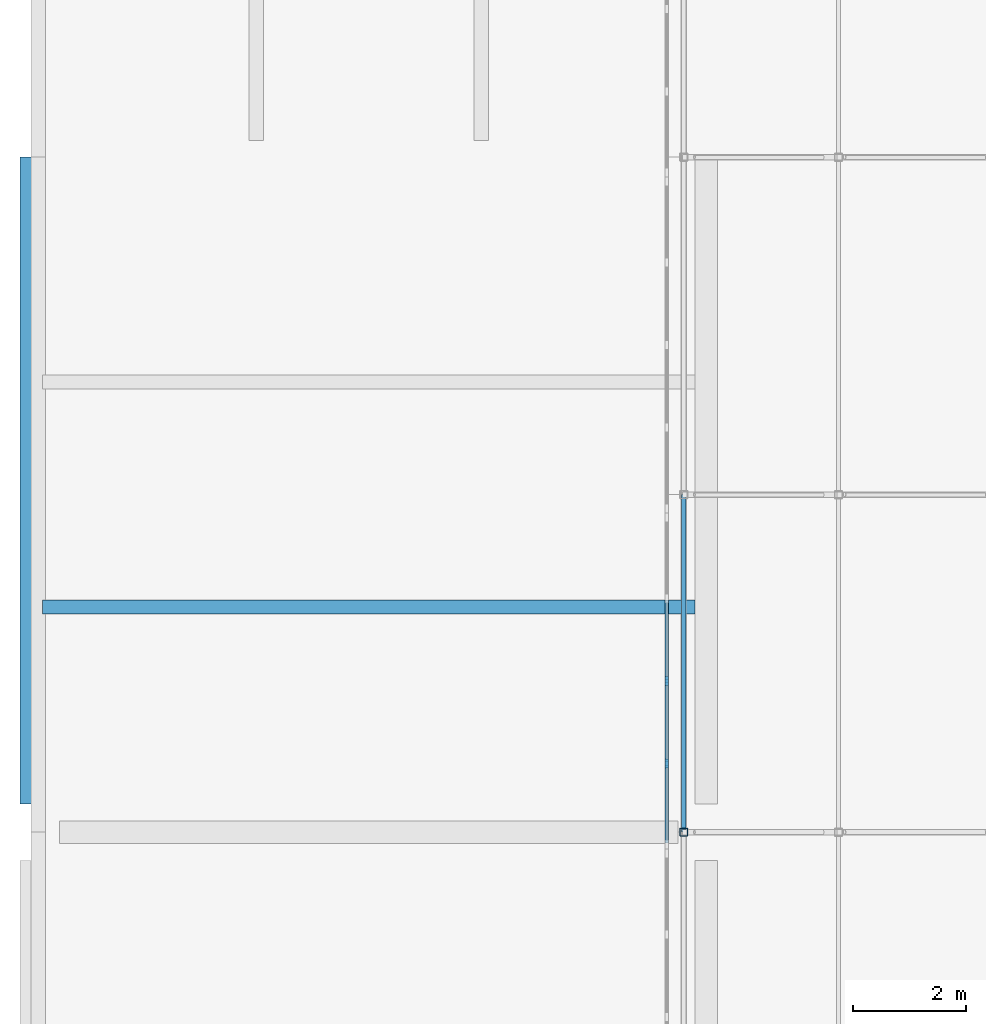
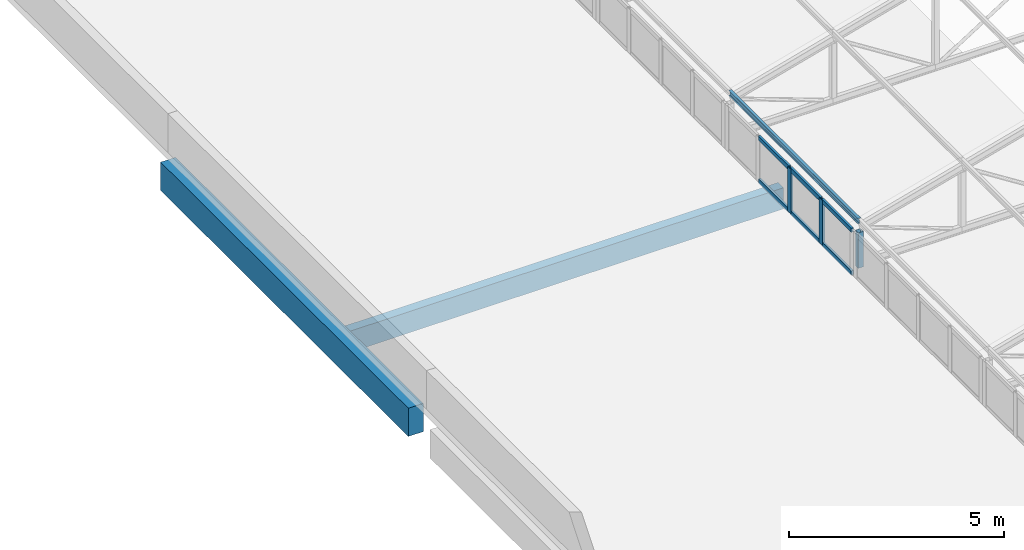
# One storey, part 53 of 94: 10 members, 2 beams, 1 element without a shape of its own.
"""IFC4 building model written with IfcOpenShell, lengths in metres."""

from ifc_helpers import new_model, si_unit, direction, frame, origin, origin_2d, place, context, subcontext, project, spatial, rectangle, hollow_rectangle, i_section, extrude, material, layer, layer_set, material_profile, profile_set, type_object, element, aggregate, save


model = new_model("IFC4")

# Units and contexts
model_context = context("Model", 3, precision=1e-05, world=origin(), true_north=direction((0.0, 1.0)))
body_context = subcontext(model_context, "Body", "Model", "MODEL_VIEW")
ifc_project = project(units=[si_unit("LENGTHUNIT", "METRE"), si_unit("AREAUNIT", "SQUARE_METRE"), si_unit("VOLUMEUNIT", "CUBIC_METRE"), si_unit("PLANEANGLEUNIT", "RADIAN"), si_unit("MASSUNIT", "GRAM", prefix="KILO")], contexts=[model_context])

# Site, building, storey
site_placement = place(None, origin())
site = spatial("IfcSite", under=ifc_project, at=site_placement, CompositionType="ELEMENT")
building_placement = place(site_placement, origin())
building = spatial("IfcBuilding", under=site, at=building_placement, Name="Lilac Gate Convention Centre", CompositionType="ELEMENT")
storey_placement = place(building_placement, frame((0.0, 0.0, 21.0)))
storey = spatial("IfcBuildingStorey", under=building, at=storey_placement, Name="L04", CompositionType="ELEMENT", Elevation=21.0)

# Curtain wall, members
ifc_material_1 = material(Name="Aluminium framed double glazing", Category="aluminium")
ifc_layer = layer(ifc_material_1, 0.199951171875)
ifc_layer_set = layer_set([ifc_layer], Name="Aluminium framed double glazing")
curtain_wall_type = type_object("IfcCurtainWallType", Name="Unitised curtain wall 1500", PredefinedType="NOTDEFINED", material=ifc_layer_set)
curtain_wall_placement = place(storey_placement, origin())
curtain_wall = element("IfcCurtainWall", 1, at=curtain_wall_placement, inside=storey, type_object=curtain_wall_type, Name="Lantern clerestory W 29", PredefinedType="NOTDEFINED")
ifc_material_2 = material(Name="Aluminium alloy 6063", Category="aluminium")
ifc_material_profile_1 = material_profile(ifc_material_2, rectangle(XDim=0.06005859375, YDim=0.159912109375, at=origin_2d()), Name="Curtain wall mullion 60 x 160")
ifc_profile_set_1 = profile_set([ifc_material_profile_1], Name="Aluminium alloy 6063")
member_type_1 = type_object("IfcMemberType", Name="Curtain wall mullion 60 x 160", PredefinedType="MULLION", material=ifc_profile_set_1)
member_1_placement = place(storey_placement, frame((17.300048828125, 199.21875, 0.0), z_axis=(0.0, 0.0, 1.0), x_axis=(-1.0, 0.0, 0.0)))
member_1 = element("IfcMember", 2, at=member_1_placement, type_object=member_type_1, Name="CW mullion 2", PredefinedType="MULLION", context=body_context, shape_type="SweptSolid", body=[
    extrude(rectangle(XDim=0.06005859375, YDim=0.159912109375, at=origin_2d()), origin(), (0.0, 0.0, 1.0), 1.272216796875),
])
member_2_placement = place(storey_placement, frame((17.300048828125, 200.6875, 0.0), z_axis=(0.0, 0.0, 1.0), x_axis=(-1.0, 0.0, 0.0)))
member_2 = element("IfcMember", 3, at=member_2_placement, type_object=member_type_1, Name="CW mullion 3", PredefinedType="MULLION", context=body_context, shape_type="SweptSolid", body=[
    extrude(rectangle(XDim=0.06005859375, YDim=0.159912109375, at=origin_2d()), origin(), (0.0, 0.0, 1.0), 1.272216796875),
])
ifc_material_profile_2 = material_profile(ifc_material_2, rectangle(XDim=0.06005859375, YDim=0.1201171875, at=origin_2d()), Name="Curtain wall transom 60 x 120")
ifc_profile_set_2 = profile_set([ifc_material_profile_2], Name="Aluminium alloy 6063")
member_type_2 = type_object("IfcMemberType", Name="Curtain wall transom 60 x 120", PredefinedType="USERDEFINED", material=ifc_profile_set_2)
member_3_placement = place(storey_placement, frame((17.300048828125, 197.81005859375, 0.030029296875), z_axis=(0.0, 1.0, 0.0), x_axis=(-1.0, 0.0, 0.0)))
member_3 = element("IfcMember", 4, at=member_3_placement, type_object=member_type_2, Name="CW transom 1.1", ObjectType="TRANSOM", PredefinedType="USERDEFINED", context=body_context, shape_type="SweptSolid", body=[
    extrude(rectangle(XDim=0.06005859375, YDim=0.1201171875, at=origin_2d()), origin(), (0.0, 0.0, 1.0), 1.378662109375),
])
member_4_placement = place(storey_placement, frame((17.300048828125, 197.81005859375, 1.2421875), z_axis=(0.0, 1.0, 0.0), x_axis=(-1.0, 0.0, 0.0)))
member_4 = element("IfcMember", 5, at=member_4_placement, type_object=member_type_2, Name="CW transom 1.2", ObjectType="TRANSOM", PredefinedType="USERDEFINED", context=body_context, shape_type="SweptSolid", body=[
    extrude(rectangle(XDim=0.06005859375, YDim=0.1201171875, at=origin_2d()), origin(), (0.0, 0.0, 1.0), 1.378662109375),
])
member_5_placement = place(storey_placement, frame((17.300048828125, 199.248779296875, 0.030029296875), z_axis=(0.0, 1.0, 0.0), x_axis=(-1.0, 0.0, 0.0)))
member_5 = element("IfcMember", 6, at=member_5_placement, type_object=member_type_2, Name="CW transom 2.1", ObjectType="TRANSOM", PredefinedType="USERDEFINED", context=body_context, shape_type="SweptSolid", body=[
    extrude(rectangle(XDim=0.06005859375, YDim=0.1201171875, at=origin_2d()), origin(), (0.0, 0.0, 1.0), 1.40869140625),
])
member_6_placement = place(storey_placement, frame((17.300048828125, 199.248779296875, 1.2421875), z_axis=(0.0, 1.0, 0.0), x_axis=(-1.0, 0.0, 0.0)))
member_6 = element("IfcMember", 7, at=member_6_placement, type_object=member_type_2, Name="CW transom 2.2", ObjectType="TRANSOM", PredefinedType="USERDEFINED", context=body_context, shape_type="SweptSolid", body=[
    extrude(rectangle(XDim=0.06005859375, YDim=0.1201171875, at=origin_2d()), origin(), (0.0, 0.0, 1.0), 1.40869140625),
])
member_7_placement = place(storey_placement, frame((17.300048828125, 200.717529296875, 0.030029296875), z_axis=(0.0, 1.0, 0.0), x_axis=(-1.0, 0.0, 0.0)))
member_7 = element("IfcMember", 8, at=member_7_placement, type_object=member_type_2, Name="CW transom 3.1", ObjectType="TRANSOM", PredefinedType="USERDEFINED", context=body_context, shape_type="SweptSolid", body=[
    extrude(rectangle(XDim=0.06005859375, YDim=0.1201171875, at=origin_2d()), origin(), (0.0, 0.0, 1.0), 1.40869140625),
])
member_8_placement = place(storey_placement, frame((17.300048828125, 200.717529296875, 1.2421875), z_axis=(0.0, 1.0, 0.0), x_axis=(-1.0, 0.0, 0.0)))
member_8 = element("IfcMember", 9, at=member_8_placement, type_object=member_type_2, Name="CW transom 3.2", ObjectType="TRANSOM", PredefinedType="USERDEFINED", context=body_context, shape_type="SweptSolid", body=[
    extrude(rectangle(XDim=0.06005859375, YDim=0.1201171875, at=origin_2d()), origin(), (0.0, 0.0, 1.0), 1.40869140625),
])
aggregate(curtain_wall, [member_1, member_2, member_3, member_4, member_5, member_6, member_7, member_8])

# Members
ifc_material_3 = material(Name="Steel Q355B", Category="steel")
ifc_material_profile_3 = material_profile(ifc_material_3, hollow_rectangle(XDim=0.139892578125, YDim=0.139892578125, WallThickness=0.0048828125, InnerFilletRadius=0.0048828125, OuterFilletRadius=0.010009765625, at=origin_2d()), Name="SHS140x140x5")
ifc_profile_set_3 = profile_set([ifc_material_profile_3], Name="Steel Q355B")
member_type_3 = type_object("IfcMemberType", Name="Lantern post SHS140x140x5", PredefinedType="STRUT", material=ifc_profile_set_3)
member_9_placement = place(storey_placement, frame((17.60009765625, 198.0, 0.0), z_axis=(0.0, 0.0, 1.0), x_axis=(1.0, 0.0, 0.0)))
element("IfcMember", 10, at=member_9_placement, inside=storey, type_object=member_type_3, Name="LV1 lantern truss 29 post 1", PredefinedType="STRUT", context=body_context, shape_type="SweptSolid", body=[
    extrude(hollow_rectangle(XDim=0.139892578125, YDim=0.139892578125, WallThickness=0.0048828125, InnerFilletRadius=0.0048828125, OuterFilletRadius=0.010009765625, at=origin_2d()), origin(), (0.0, 0.0, 1.0), 1.001953125),
])
ifc_material_profile_4 = material_profile(ifc_material_3, i_section(OverallWidth=0.074951171875, OverallDepth=0.14990234375, WebThickness=0.0048828125, FlangeThickness=0.007080078125, FilletRadius=0.008056640625, at=origin_2d()), Name="HN150x75x5x7")
ifc_profile_set_4 = profile_set([ifc_material_profile_4], Name="Steel Q355B")
member_type_4 = type_object("IfcMemberType", Name="Lantern purlin HN150x75x5x7", PredefinedType="PURLIN", material=ifc_profile_set_4)
member_10_placement = place(storey_placement, frame((17.60009765625, 198.0, 1.279052734375), z_axis=(0.0, 1.0, 0.0), x_axis=(-1.0, 0.0, 0.0)))
element("IfcMember", 11, at=member_10_placement, inside=storey, type_object=member_type_4, Name="LP1 lantern purlin bay 29 line 1", PredefinedType="PURLIN", context=body_context, shape_type="SweptSolid", body=[
    extrude(i_section(OverallWidth=0.074951171875, OverallDepth=0.14990234375, WebThickness=0.0048828125, FlangeThickness=0.007080078125, FilletRadius=0.008056640625, at=origin_2d()), origin(), (0.0, 0.0, 1.0), 6.0),
])

# Beams
ifc_material_4 = material(Name="Concrete C40", Category="concrete")
ifc_material_profile_5 = material_profile(ifc_material_4, rectangle(XDim=0.39990234375, YDim=0.800048828125, at=origin_2d()), Name="RC 400x800")
ifc_profile_set_5 = profile_set([ifc_material_profile_5], Name="Concrete C40")
beam_type_1 = type_object("IfcBeamType", Name="Tower primary beam 400x800 C40", PredefinedType="BEAM", material=ifc_profile_set_5)
beam_1_placement = place(storey_placement, frame((6.0, 198.5, -0.60009765625), z_axis=(0.0, 1.0, 0.0), x_axis=(-1.0, 0.0, 0.0)))
element("IfcBeam", 12, at=beam_1_placement, inside=storey, type_object=beam_type_1, Name="RB3 L04 1/Q-1/R", PredefinedType="BEAM", context=body_context, shape_type="SweptSolid", body=[
    extrude(rectangle(XDim=0.39990234375, YDim=0.800048828125, at=origin_2d()), origin(), (0.0, 0.0, 1.0), 11.5),
])
ifc_material_profile_6 = material_profile(ifc_material_4, rectangle(XDim=0.25, YDim=0.60009765625, at=origin_2d()), Name="RC 250x600")
ifc_profile_set_6 = profile_set([ifc_material_profile_6], Name="Concrete C40")
beam_type_2 = type_object("IfcBeamType", Name="Tower secondary beam 250x600 C40", PredefinedType="BEAM", material=ifc_profile_set_6)
beam_2_placement = place(storey_placement, frame((6.199951171875, 202.0, -0.5), z_axis=(1.0, 0.0, 0.0), x_axis=(0.0, 1.0, 0.0)))
element("IfcBeam", 13, at=beam_2_placement, inside=storey, type_object=beam_type_2, Name="RB4 L04 bay 1/Q", PredefinedType="BEAM", context=body_context, shape_type="SweptSolid", body=[
    extrude(rectangle(XDim=0.25, YDim=0.60009765625, at=origin_2d()), origin(), (0.0, 0.0, 1.0), 11.60009765625),
])

save(model, "model.ifc")
